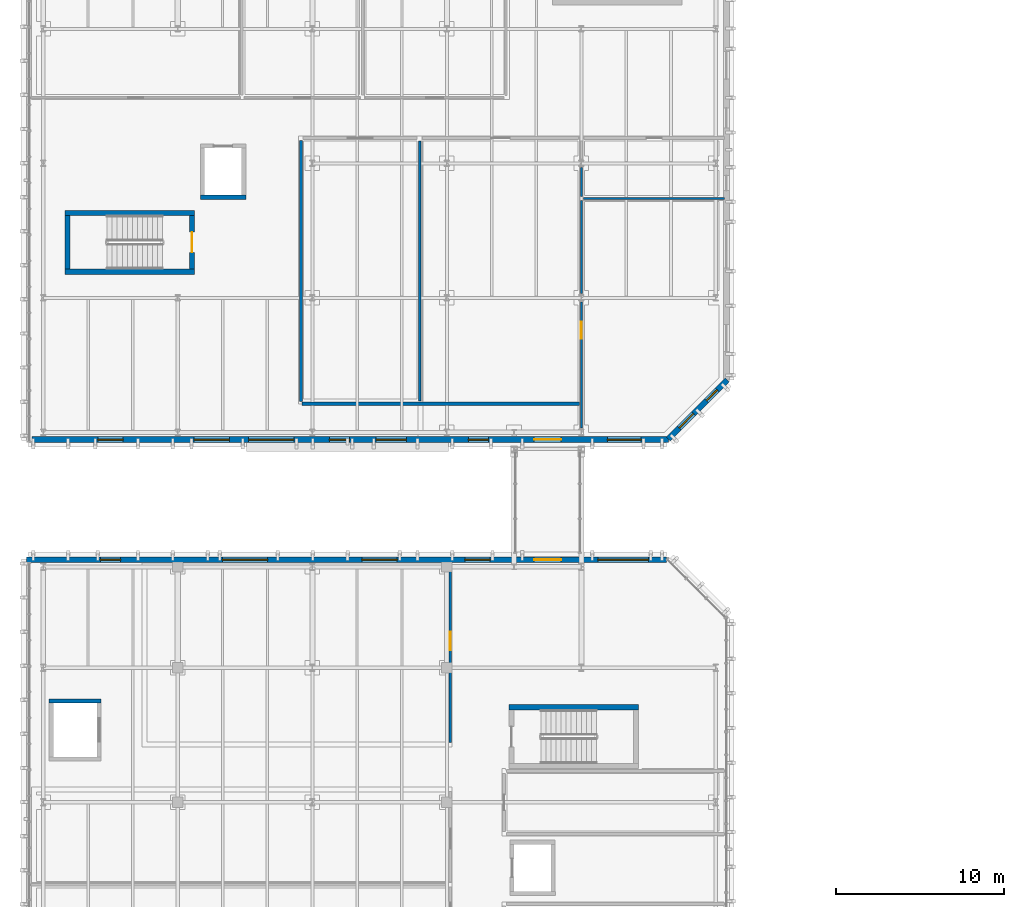
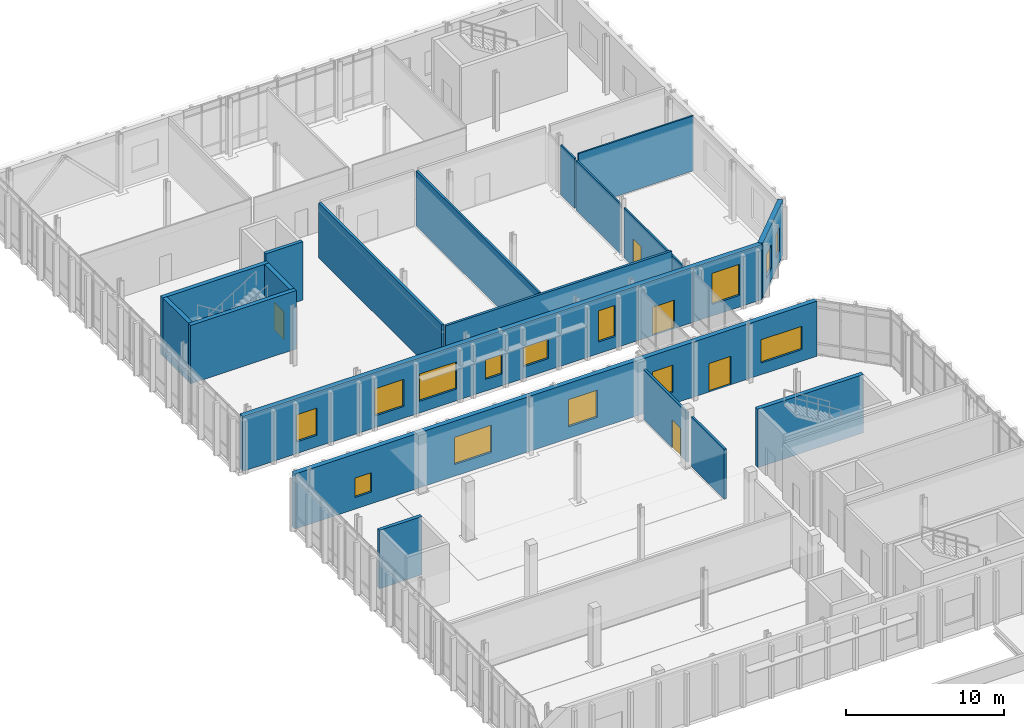
# One storey, part 63 of 86: 19 walls, 14 windows, 5 doors, 19 openings.
"""IFC4 building model written with IfcOpenShell, lengths in metres."""

from ifc_helpers import new_model, si_unit, direction, frame, frame_2d, origin, place, context, subcontext, project, spatial, rectangle, extrude, material, layer, layer_set, type_object, element, fill, save


model = new_model("IFC4")

# Units and contexts
model_context = context("Model", 3, precision=1e-05, world=origin(), true_north=direction((0.0, 1.0)))
body_context = subcontext(model_context, "Body", "Model", "MODEL_VIEW")
ifc_project = project(units=[si_unit("LENGTHUNIT", "METRE"), si_unit("AREAUNIT", "SQUARE_METRE"), si_unit("VOLUMEUNIT", "CUBIC_METRE"), si_unit("PLANEANGLEUNIT", "RADIAN"), si_unit("MASSUNIT", "GRAM", prefix="KILO")], contexts=[model_context])

# Site, building, storey
site_placement = place(None, origin())
site = spatial("IfcSite", under=ifc_project, at=site_placement, CompositionType="ELEMENT")
building_placement = place(site_placement, origin())
building = spatial("IfcBuilding", under=site, at=building_placement, Name="Cymarion Research Institute", CompositionType="ELEMENT")
storey_placement = place(building_placement, frame((0.0, 0.0, 13.800048828125)))
storey = spatial("IfcBuildingStorey", under=building, at=storey_placement, Name="L03", CompositionType="ELEMENT", Elevation=13.800048828125)

# Wall, openings, door, windows
ifc_material_1 = material(Name="Precast concrete C40/50", Category="concrete")
ifc_layer_1 = layer(ifc_material_1, 0.340087890625)
ifc_layer_set_1 = layer_set([ifc_layer_1], Name="Precast concrete C40/50")
wall_type_1 = type_object("IfcWallType", Name="EXTERIOR WALL EW-PC340 340MM", PredefinedType="SOLIDWALL", material=ifc_layer_set_1)
wall_1_placement = place(storey_placement, frame((43.67724609375, 77.929931640625, 0.0), z_axis=(0.0, 0.0, 1.0), x_axis=(-1.0, 0.0, 0.0)))
wall_1 = element("IfcWall", 1, at=wall_1_placement, inside=storey, type_object=wall_type_1, Name="L03 V4 exterior wall EW-PC340 #189", PredefinedType="SOLIDWALL", context=body_context, shape_type="SweptSolid", body=[
    extrude(rectangle(XDim=38.0771484375, YDim=0.340087890625, at=frame_2d((19.03857421875, 0.0))), origin(), (0.0, 0.0, 1.0), 4.25),
])
opening_1_placement = place(wall_1_placement, frame((6.277099609375, 0.0, 0.0)))
opening_1 = element("IfcOpeningElement", 2, at=opening_1_placement, cuts=wall_1, Name="Opening D-SP2-L03-S", PredefinedType="OPENING", context=body_context, shape_type="SweptSolid", body=[
    extrude(rectangle(XDim=1.60009765625, YDim=2.199951171875, at=frame_2d((0.800048828125, 1.10009765625))), frame((0.0, 0.179931640625, 0.0), z_axis=(0.0, -1.0, 0.0), x_axis=(1.0, 0.0, 0.0)), (0.0, 0.0, 1.0), 0.360107421875),
])
opening_2_placement = place(wall_1_placement, frame((1.089111328125, 0.0, 0.89990234375)))
opening_2 = element("IfcOpeningElement", 3, at=opening_2_placement, cuts=wall_1, Name="Opening W07", PredefinedType="OPENING", context=body_context, shape_type="SweptSolid", body=[
    extrude(rectangle(XDim=3.0, YDim=1.800048828125, at=frame_2d((1.5, 0.89990234375))), frame((0.0, 0.179931640625, 0.0), z_axis=(0.0, -1.0, 0.0), x_axis=(1.0, 0.0, 0.0)), (0.0, 0.0, 1.0), 0.360107421875),
])
opening_3_placement = place(wall_1_placement, frame((10.507080078125, 0.0, 0.89990234375)))
opening_3 = element("IfcOpeningElement", 4, at=opening_3_placement, cuts=wall_1, Name="Opening W09", PredefinedType="OPENING", context=body_context, shape_type="SweptSolid", body=[
    extrude(rectangle(XDim=1.5, YDim=2.10009765625, at=frame_2d((0.75, 1.050048828125))), frame((0.0, 0.179931640625, 0.0), z_axis=(0.0, -1.0, 0.0), x_axis=(1.0, 0.0, 0.0)), (0.0, 0.0, 1.0), 0.360107421875),
])
opening_4_placement = place(wall_1_placement, frame((16.027099609375, 0.0, 0.89990234375)))
opening_4 = element("IfcOpeningElement", 5, at=opening_4_placement, cuts=wall_1, Name="Opening W11", PredefinedType="OPENING", context=body_context, shape_type="SweptSolid", body=[
    extrude(rectangle(XDim=2.10009765625, YDim=2.10009765625, at=frame_2d((1.050048828125, 1.050048828125))), frame((0.0, 0.179931640625, 0.0), z_axis=(0.0, -1.0, 0.0), x_axis=(1.0, 0.0, 0.0)), (0.0, 0.0, 1.0), 0.360107421875),
])
opening_5_placement = place(wall_1_placement, frame((23.72705078125, 0.0, 0.89990234375)))
opening_5 = element("IfcOpeningElement", 6, at=opening_5_placement, cuts=wall_1, Name="Opening W13", PredefinedType="OPENING", context=body_context, shape_type="SweptSolid", body=[
    extrude(rectangle(XDim=2.699951171875, YDim=2.10009765625, at=frame_2d((1.35009765625, 1.050048828125))), frame((0.0, 0.179931640625, 0.0), z_axis=(0.0, -1.0, 0.0), x_axis=(1.0, 0.0, 0.0)), (0.0, 0.0, 1.0), 0.360107421875),
])
opening_6_placement = place(wall_1_placement, frame((32.47705078125, 0.0, 0.89990234375)))
opening_6 = element("IfcOpeningElement", 7, at=opening_6_placement, cuts=wall_1, Name="Opening W15", PredefinedType="OPENING", context=body_context, shape_type="SweptSolid", body=[
    extrude(rectangle(XDim=1.199951171875, YDim=1.5, at=frame_2d((0.60009765625, 0.75))), frame((0.0, 0.179931640625, 0.0), z_axis=(0.0, -1.0, 0.0), x_axis=(1.0, 0.0, 0.0)), (0.0, 0.0, 1.0), 0.360107421875),
])
ifc_material_2 = material(Name="Thermally broken anodised aluminium glazed door", Category="aluminium")
door_type_1 = type_object("IfcDoorType", Name="GLAZED ALUMINIUM TERRACE ACCESS DOOR DT-TR160 1600X2200", OperationType="NOTDEFINED", PredefinedType="DOOR", material=ifc_material_2)
door_1_placement = place(opening_1_placement, frame((1.60009765625, 0.0, 0.0), z_axis=(0.0, 0.0, 1.0), x_axis=(-1.0, 0.0, 0.0)))
door_1 = element("IfcDoor", 8, at=door_1_placement, inside=storey, type_object=door_type_1, Name="L03 V4 Sky-Passage Portal Door D-SP2-L03-S", OperationType="SINGLE_SWING_RIGHT", OverallHeight=2.199951171875, OverallWidth=1.60009765625, PredefinedType="DOOR", context=body_context, shape_type="SweptSolid", body=[
    extrude(rectangle(XDim=1.60009765625, YDim=2.199951171875, at=frame_2d((0.800048828125, 1.10009765625))), frame((0.0, 0.02490234375, 0.0), z_axis=(0.0, -1.0, 0.0), x_axis=(1.0, 0.0, 0.0)), (0.0, 0.0, 1.0), 0.050048828125),
])
fill(opening_1, door_1)
ifc_material_3 = material(Name="Thermally broken aluminium window with Low-E glazing", Category="aluminium")
window_type_1 = type_object("IfcWindowType", Name="THERMALLY BROKEN ALUMINIUM WINDOW W07 3000X1800", PartitioningType="TRIPLE_PANEL_VERTICAL", PredefinedType="WINDOW", material=ifc_material_3)
window_1_placement = place(opening_2_placement, origin())
window_1 = element("IfcWindow", 9, at=window_1_placement, inside=storey, type_object=window_type_1, Name="L03 V4 facade window W07 #340", OverallHeight=1.800048828125, OverallWidth=3.0, PartitioningType="SINGLE_PANEL", PredefinedType="WINDOW", context=body_context, shape_type="SweptSolid", body=[
    extrude(rectangle(XDim=3.0, YDim=1.800048828125, at=frame_2d((1.5, 0.89990234375))), frame((0.0, 0.030029296875, 0.0), z_axis=(0.0, -1.0, 0.0), x_axis=(1.0, 0.0, 0.0)), (0.0, 0.0, 1.0), 0.06005859375),
])
fill(opening_2, window_1)
window_type_2 = type_object("IfcWindowType", Name="THERMALLY BROKEN ALUMINIUM WINDOW W09 1500X2100", PartitioningType="DOUBLE_PANEL_VERTICAL", PredefinedType="WINDOW", material=ifc_material_3)
window_2_placement = place(opening_3_placement, origin())
window_2 = element("IfcWindow", 10, at=window_2_placement, inside=storey, type_object=window_type_2, Name="L03 V4 facade window W09 #341", OverallHeight=2.10009765625, OverallWidth=1.5, PartitioningType="SINGLE_PANEL", PredefinedType="WINDOW", context=body_context, shape_type="SweptSolid", body=[
    extrude(rectangle(XDim=1.5, YDim=2.10009765625, at=frame_2d((0.75, 1.050048828125))), frame((0.0, 0.030029296875, 0.0), z_axis=(0.0, -1.0, 0.0), x_axis=(1.0, 0.0, 0.0)), (0.0, 0.0, 1.0), 0.06005859375),
])
fill(opening_3, window_2)
window_type_3 = type_object("IfcWindowType", Name="THERMALLY BROKEN ALUMINIUM WINDOW W11 2100X2100", PartitioningType="DOUBLE_PANEL_VERTICAL", PredefinedType="WINDOW", material=ifc_material_3)
window_3_placement = place(opening_4_placement, origin())
window_3 = element("IfcWindow", 11, at=window_3_placement, inside=storey, type_object=window_type_3, Name="L03 V4 facade window W11 #342", OverallHeight=2.10009765625, OverallWidth=2.10009765625, PartitioningType="SINGLE_PANEL", PredefinedType="WINDOW", context=body_context, shape_type="SweptSolid", body=[
    extrude(rectangle(XDim=2.10009765625, YDim=2.10009765625, at=frame_2d((1.050048828125, 1.050048828125))), frame((0.0, 0.030029296875, 0.0), z_axis=(0.0, -1.0, 0.0), x_axis=(1.0, 0.0, 0.0)), (0.0, 0.0, 1.0), 0.06005859375),
])
fill(opening_4, window_3)
window_type_4 = type_object("IfcWindowType", Name="THERMALLY BROKEN ALUMINIUM WINDOW W13 2700X2100", PartitioningType="TRIPLE_PANEL_VERTICAL", PredefinedType="WINDOW", material=ifc_material_3)
window_4_placement = place(opening_5_placement, origin())
window_4 = element("IfcWindow", 12, at=window_4_placement, inside=storey, type_object=window_type_4, Name="L03 V4 facade window W13 #343", OverallHeight=2.10009765625, OverallWidth=2.699951171875, PartitioningType="SINGLE_PANEL", PredefinedType="WINDOW", context=body_context, shape_type="SweptSolid", body=[
    extrude(rectangle(XDim=2.699951171875, YDim=2.10009765625, at=frame_2d((1.35009765625, 1.050048828125))), frame((0.0, 0.030029296875, 0.0), z_axis=(0.0, -1.0, 0.0), x_axis=(1.0, 0.0, 0.0)), (0.0, 0.0, 1.0), 0.06005859375),
])
fill(opening_5, window_4)
window_type_5 = type_object("IfcWindowType", Name="THERMALLY BROKEN ALUMINIUM WINDOW W15 1200X1500", PartitioningType="SINGLE_PANEL", PredefinedType="WINDOW", material=ifc_material_3)
window_5_placement = place(opening_6_placement, origin())
window_5 = element("IfcWindow", 13, at=window_5_placement, inside=storey, type_object=window_type_5, Name="L03 V4 facade window W15 #344", OverallHeight=1.5, OverallWidth=1.199951171875, PartitioningType="SINGLE_PANEL", PredefinedType="WINDOW", context=body_context, shape_type="SweptSolid", body=[
    extrude(rectangle(XDim=1.199951171875, YDim=1.5, at=frame_2d((0.60009765625, 0.75))), frame((0.0, 0.030029296875, 0.0), z_axis=(0.0, -1.0, 0.0), x_axis=(1.0, 0.0, 0.0)), (0.0, 0.0, 1.0), 0.06005859375),
])
fill(opening_6, window_5)

wall_2_placement = place(storey_placement, frame((5.922119140625, 85.070068359375, 0.0), z_axis=(0.0, 0.0, 1.0), x_axis=(1.0, 0.0, 0.0)))
wall_2 = element("IfcWall", 14, at=wall_2_placement, inside=storey, type_object=wall_type_1, Name="L03 V5 exterior wall EW-PC340 #190", PredefinedType="SOLIDWALL", context=body_context, shape_type="SweptSolid", body=[
    extrude(rectangle(XDim=37.8779296875, YDim=0.340087890625, at=frame_2d((18.93896484375, 0.0))), origin(), (0.0, 0.0, 1.0), 4.25),
])
opening_7_placement = place(wall_2_placement, frame((29.8779296875, 0.0, 0.0)))
opening_7 = element("IfcOpeningElement", 15, at=opening_7_placement, cuts=wall_2, Name="Opening D-SP2-L03-N", PredefinedType="OPENING", context=body_context, shape_type="SweptSolid", body=[
    extrude(rectangle(XDim=1.60009765625, YDim=2.199951171875, at=frame_2d((0.800048828125, 1.10009765625))), frame((0.0, 0.179931640625, 0.0), z_axis=(0.0, -1.0, 0.0), x_axis=(1.0, 0.0, 0.0)), (0.0, 0.0, 1.0), 0.360107421875),
])
opening_8_placement = place(wall_2_placement, frame((3.927978515625, 0.0, 0.89990234375)))
opening_8 = element("IfcOpeningElement", 16, at=opening_8_placement, cuts=wall_2, Name="Opening W09", PredefinedType="OPENING", context=body_context, shape_type="SweptSolid", body=[
    extrude(rectangle(XDim=1.5, YDim=2.10009765625, at=frame_2d((0.75, 1.050048828125))), frame((0.0, 0.179931640625, 0.0), z_axis=(0.0, -1.0, 0.0), x_axis=(1.0, 0.0, 0.0)), (0.0, 0.0, 1.0), 0.360107421875),
])
opening_9_placement = place(wall_2_placement, frame((9.64794921875, 0.0, 0.89990234375)))
opening_9 = element("IfcOpeningElement", 17, at=opening_9_placement, cuts=wall_2, Name="Opening W11", PredefinedType="OPENING", context=body_context, shape_type="SweptSolid", body=[
    extrude(rectangle(XDim=2.10009765625, YDim=2.10009765625, at=frame_2d((1.050048828125, 1.050048828125))), frame((0.0, 0.179931640625, 0.0), z_axis=(0.0, -1.0, 0.0), x_axis=(1.0, 0.0, 0.0)), (0.0, 0.0, 1.0), 0.360107421875),
])
opening_10_placement = place(wall_2_placement, frame((12.887939453125, 0.0, 0.89990234375)))
opening_10 = element("IfcOpeningElement", 18, at=opening_10_placement, cuts=wall_2, Name="Opening W13", PredefinedType="OPENING", context=body_context, shape_type="SweptSolid", body=[
    extrude(rectangle(XDim=2.699951171875, YDim=2.10009765625, at=frame_2d((1.35009765625, 1.050048828125))), frame((0.0, 0.179931640625, 0.0), z_axis=(0.0, -1.0, 0.0), x_axis=(1.0, 0.0, 0.0)), (0.0, 0.0, 1.0), 0.360107421875),
])
opening_11_placement = place(wall_2_placement, frame((17.697998046875, 0.0, 0.89990234375)))
opening_11 = element("IfcOpeningElement", 19, at=opening_11_placement, cuts=wall_2, Name="Opening W15", PredefinedType="OPENING", context=body_context, shape_type="SweptSolid", body=[
    extrude(rectangle(XDim=1.199951171875, YDim=1.5, at=frame_2d((0.60009765625, 0.75))), frame((0.0, 0.179931640625, 0.0), z_axis=(0.0, -1.0, 0.0), x_axis=(1.0, 0.0, 0.0)), (0.0, 0.0, 1.0), 0.360107421875),
])
opening_12_placement = place(wall_2_placement, frame((20.47802734375, 0.0, 0.89990234375)))
opening_12 = element("IfcOpeningElement", 20, at=opening_12_placement, cuts=wall_2, Name="Opening W17", PredefinedType="OPENING", context=body_context, shape_type="SweptSolid", body=[
    extrude(rectangle(XDim=1.800048828125, YDim=1.5, at=frame_2d((0.89990234375, 0.75))), frame((0.0, 0.179931640625, 0.0), z_axis=(0.0, -1.0, 0.0), x_axis=(1.0, 0.0, 0.0)), (0.0, 0.0, 1.0), 0.360107421875),
])
opening_13_placement = place(wall_2_placement, frame((25.9580078125, 0.0, 0.89990234375)))
opening_13 = element("IfcOpeningElement", 21, at=opening_13_placement, cuts=wall_2, Name="Opening W19", PredefinedType="OPENING", context=body_context, shape_type="SweptSolid", body=[
    extrude(rectangle(XDim=1.199951171875, YDim=2.39990234375, at=frame_2d((0.60009765625, 1.199951171875))), frame((0.0, 0.179931640625, 0.0), z_axis=(0.0, -1.0, 0.0), x_axis=(1.0, 0.0, 0.0)), (0.0, 0.0, 1.0), 0.360107421875),
])
opening_14_placement = place(wall_2_placement, frame((34.22802734375, 0.0, 0.89990234375)))
opening_14 = element("IfcOpeningElement", 22, at=opening_14_placement, cuts=wall_2, Name="Opening W21", PredefinedType="OPENING", context=body_context, shape_type="SweptSolid", body=[
    extrude(rectangle(XDim=2.0, YDim=2.39990234375, at=frame_2d((1.0, 1.199951171875))), frame((0.0, 0.179931640625, 0.0), z_axis=(0.0, -1.0, 0.0), x_axis=(1.0, 0.0, 0.0)), (0.0, 0.0, 1.0), 0.360107421875),
])
door_2_placement = place(opening_7_placement, frame((1.60009765625, 0.0, 0.0), z_axis=(0.0, 0.0, 1.0), x_axis=(-1.0, 0.0, 0.0)))
door_2 = element("IfcDoor", 23, at=door_2_placement, inside=storey, type_object=door_type_1, Name="L03 V5 Sky-Passage Portal Door D-SP2-L03-N", OperationType="SINGLE_SWING_RIGHT", OverallHeight=2.199951171875, OverallWidth=1.60009765625, PredefinedType="DOOR", context=body_context, shape_type="SweptSolid", body=[
    extrude(rectangle(XDim=1.60009765625, YDim=2.199951171875, at=frame_2d((0.800048828125, 1.10009765625))), frame((0.0, 0.02490234375, 0.0), z_axis=(0.0, -1.0, 0.0), x_axis=(1.0, 0.0, 0.0)), (0.0, 0.0, 1.0), 0.050048828125),
])
fill(opening_7, door_2)
window_6_placement = place(opening_8_placement, origin())
window_6 = element("IfcWindow", 24, at=window_6_placement, inside=storey, type_object=window_type_2, Name="L03 V5 facade window W09 #345", OverallHeight=2.10009765625, OverallWidth=1.5, PartitioningType="SINGLE_PANEL", PredefinedType="WINDOW", context=body_context, shape_type="SweptSolid", body=[
    extrude(rectangle(XDim=1.5, YDim=2.10009765625, at=frame_2d((0.75, 1.050048828125))), frame((0.0, 0.030029296875, 0.0), z_axis=(0.0, -1.0, 0.0), x_axis=(1.0, 0.0, 0.0)), (0.0, 0.0, 1.0), 0.06005859375),
])
fill(opening_8, window_6)
window_7_placement = place(opening_9_placement, origin())
window_7 = element("IfcWindow", 25, at=window_7_placement, inside=storey, type_object=window_type_3, Name="L03 V5 facade window W11 #346", OverallHeight=2.10009765625, OverallWidth=2.10009765625, PartitioningType="SINGLE_PANEL", PredefinedType="WINDOW", context=body_context, shape_type="SweptSolid", body=[
    extrude(rectangle(XDim=2.10009765625, YDim=2.10009765625, at=frame_2d((1.050048828125, 1.050048828125))), frame((0.0, 0.030029296875, 0.0), z_axis=(0.0, -1.0, 0.0), x_axis=(1.0, 0.0, 0.0)), (0.0, 0.0, 1.0), 0.06005859375),
])
fill(opening_9, window_7)
window_8_placement = place(opening_10_placement, origin())
window_8 = element("IfcWindow", 26, at=window_8_placement, inside=storey, type_object=window_type_4, Name="L03 V5 facade window W13 #347", OverallHeight=2.10009765625, OverallWidth=2.699951171875, PartitioningType="SINGLE_PANEL", PredefinedType="WINDOW", context=body_context, shape_type="SweptSolid", body=[
    extrude(rectangle(XDim=2.699951171875, YDim=2.10009765625, at=frame_2d((1.35009765625, 1.050048828125))), frame((0.0, 0.030029296875, 0.0), z_axis=(0.0, -1.0, 0.0), x_axis=(1.0, 0.0, 0.0)), (0.0, 0.0, 1.0), 0.06005859375),
])
fill(opening_10, window_8)
window_9_placement = place(opening_11_placement, origin())
window_9 = element("IfcWindow", 27, at=window_9_placement, inside=storey, type_object=window_type_5, Name="L03 V5 facade window W15 #348", OverallHeight=1.5, OverallWidth=1.199951171875, PartitioningType="SINGLE_PANEL", PredefinedType="WINDOW", context=body_context, shape_type="SweptSolid", body=[
    extrude(rectangle(XDim=1.199951171875, YDim=1.5, at=frame_2d((0.60009765625, 0.75))), frame((0.0, 0.030029296875, 0.0), z_axis=(0.0, -1.0, 0.0), x_axis=(1.0, 0.0, 0.0)), (0.0, 0.0, 1.0), 0.06005859375),
])
fill(opening_11, window_9)
window_type_6 = type_object("IfcWindowType", Name="THERMALLY BROKEN ALUMINIUM WINDOW W17 1800X1500", PartitioningType="DOUBLE_PANEL_HORIZONTAL", PredefinedType="WINDOW", material=ifc_material_3)
window_10_placement = place(opening_12_placement, origin())
window_10 = element("IfcWindow", 28, at=window_10_placement, inside=storey, type_object=window_type_6, Name="L03 V5 facade window W17 #349", OverallHeight=1.5, OverallWidth=1.800048828125, PartitioningType="SINGLE_PANEL", PredefinedType="WINDOW", context=body_context, shape_type="SweptSolid", body=[
    extrude(rectangle(XDim=1.800048828125, YDim=1.5, at=frame_2d((0.89990234375, 0.75))), frame((0.0, 0.030029296875, 0.0), z_axis=(0.0, -1.0, 0.0), x_axis=(1.0, 0.0, 0.0)), (0.0, 0.0, 1.0), 0.06005859375),
])
fill(opening_12, window_10)
window_type_7 = type_object("IfcWindowType", Name="THERMALLY BROKEN ALUMINIUM WINDOW W19 1200X2400", PartitioningType="SINGLE_PANEL", PredefinedType="WINDOW", material=ifc_material_3)
window_11_placement = place(opening_13_placement, origin())
window_11 = element("IfcWindow", 29, at=window_11_placement, inside=storey, type_object=window_type_7, Name="L03 V5 facade window W19 #350", OverallHeight=2.39990234375, OverallWidth=1.199951171875, PartitioningType="SINGLE_PANEL", PredefinedType="WINDOW", context=body_context, shape_type="SweptSolid", body=[
    extrude(rectangle(XDim=1.199951171875, YDim=2.39990234375, at=frame_2d((0.60009765625, 1.199951171875))), frame((0.0, 0.030029296875, 0.0), z_axis=(0.0, -1.0, 0.0), x_axis=(1.0, 0.0, 0.0)), (0.0, 0.0, 1.0), 0.06005859375),
])
fill(opening_13, window_11)
window_type_8 = type_object("IfcWindowType", Name="THERMALLY BROKEN ALUMINIUM WINDOW W21 2000X2400", PartitioningType="DOUBLE_PANEL_VERTICAL", PredefinedType="WINDOW", material=ifc_material_3)
window_12_placement = place(opening_14_placement, origin())
window_12 = element("IfcWindow", 30, at=window_12_placement, inside=storey, type_object=window_type_8, Name="L03 V5 facade window W21 #351", OverallHeight=2.39990234375, OverallWidth=2.0, PartitioningType="SINGLE_PANEL", PredefinedType="WINDOW", context=body_context, shape_type="SweptSolid", body=[
    extrude(rectangle(XDim=2.0, YDim=2.39990234375, at=frame_2d((1.0, 1.199951171875))), frame((0.0, 0.030029296875, 0.0), z_axis=(0.0, -1.0, 0.0), x_axis=(1.0, 0.0, 0.0)), (0.0, 0.0, 1.0), 0.06005859375),
])
fill(opening_14, window_12)

# Wall, openings, windows
wall_3_placement = place(storey_placement, frame((43.7666015625, 85.107177734375, 0.0), z_axis=(0.0, 0.0, 1.0), x_axis=(0.707131350994, 0.707082210525, 0.0)))
wall_3 = element("IfcWall", 31, at=wall_3_placement, inside=storey, type_object=wall_type_1, Name="L03 V5 exterior wall EW-PC340 #191", PredefinedType="SOLIDWALL", context=body_context, shape_type="SweptSolid", body=[
    extrude(rectangle(XDim=4.96826171875, YDim=0.340087890625, at=frame_2d((2.484130859375, 0.0))), origin(), (0.0, 0.0, 1.0), 4.25),
])
opening_15_placement = place(wall_3_placement, frame((0.930908203125, 0.0, 0.89990234375)))
opening_15 = element("IfcOpeningElement", 32, at=opening_15_placement, cuts=wall_3, Name="Opening W01", PredefinedType="OPENING", context=body_context, shape_type="SweptSolid", body=[
    extrude(rectangle(XDim=1.199951171875, YDim=1.800048828125, at=frame_2d((0.60009765625, 0.89990234375))), frame((0.0, 0.179931640625, 0.0), z_axis=(0.0, -1.0, 0.0), x_axis=(1.0, 0.0, 0.0)), (0.0, 0.0, 1.0), 0.360107421875),
])
opening_16_placement = place(wall_3_placement, frame((3.22509765625, 0.0, 0.89990234375)))
opening_16 = element("IfcOpeningElement", 33, at=opening_16_placement, cuts=wall_3, Name="Opening W24", PredefinedType="OPENING", context=body_context, shape_type="SweptSolid", body=[
    extrude(rectangle(XDim=0.89990234375, YDim=1.800048828125, at=frame_2d((0.449951171875, 0.89990234375))), frame((0.0, 0.179931640625, 0.0), z_axis=(0.0, -1.0, 0.0), x_axis=(1.0, 0.0, 0.0)), (0.0, 0.0, 1.0), 0.360107421875),
])
window_type_9 = type_object("IfcWindowType", Name="THERMALLY BROKEN ALUMINIUM WINDOW W01 1200X1800", PartitioningType="SINGLE_PANEL", PredefinedType="WINDOW", material=ifc_material_3)
window_13_placement = place(opening_15_placement, origin())
window_13 = element("IfcWindow", 34, at=window_13_placement, inside=storey, type_object=window_type_9, Name="L03 V5 facade window W01 #352", OverallHeight=1.800048828125, OverallWidth=1.199951171875, PartitioningType="SINGLE_PANEL", PredefinedType="WINDOW", context=body_context, shape_type="SweptSolid", body=[
    extrude(rectangle(XDim=1.199951171875, YDim=1.800048828125, at=frame_2d((0.60009765625, 0.89990234375))), frame((0.0, 0.030029296875, 0.0), z_axis=(0.0, -1.0, 0.0), x_axis=(1.0, 0.0, 0.0)), (0.0, 0.0, 1.0), 0.06005859375),
])
fill(opening_15, window_13)
window_type_10 = type_object("IfcWindowType", Name="THERMALLY BROKEN ALUMINIUM WINDOW W24 900X1800", PartitioningType="SINGLE_PANEL", PredefinedType="WINDOW", material=ifc_material_3)
window_14_placement = place(opening_16_placement, origin())
window_14 = element("IfcWindow", 35, at=window_14_placement, inside=storey, type_object=window_type_10, Name="L03 V5 facade window W24 #353", OverallHeight=1.800048828125, OverallWidth=0.89990234375, PartitioningType="SINGLE_PANEL", PredefinedType="WINDOW", context=body_context, shape_type="SweptSolid", body=[
    extrude(rectangle(XDim=0.89990234375, YDim=1.800048828125, at=frame_2d((0.449951171875, 0.89990234375))), frame((0.0, 0.030029296875, 0.0), z_axis=(0.0, -1.0, 0.0), x_axis=(1.0, 0.0, 0.0)), (0.0, 0.0, 1.0), 0.06005859375),
])
fill(opening_16, window_14)

# Walls
ifc_material_4 = material(Name="Gypsum acoustic double-stud partition", Category="gypsum")
ifc_layer_2 = layer(ifc_material_4, 0.14990234375)
ifc_layer_set_2 = layer_set([ifc_layer_2], Name="Gypsum acoustic double-stud partition")
wall_type_2 = type_object("IfcWallType", Name="INTERIOR PARTITION IW-AC150 150MM", PredefinedType="PARTITIONING", material=ifc_layer_set_2)
wall_4_placement = place(storey_placement, frame((29.0, 87.360107421875, 0.0), z_axis=(0.0, 0.0, 1.0), x_axis=(0.0, 1.0, 0.0)))
element("IfcWall", 36, at=wall_4_placement, inside=storey, type_object=wall_type_2, Name="L03 V5 interior partition IW-AC150 #251", PredefinedType="PARTITIONING", context=body_context, shape_type="SweptSolid", body=[
    extrude(rectangle(XDim=15.47998046875, YDim=0.14990234375, at=frame_2d((7.739990234375, 0.0))), origin(), (0.0, 0.0, 1.0), 4.25),
])
ifc_material_5 = material(Name="ISO cleanroom modular flush panel wall", Category="metal")
ifc_layer_3 = layer(ifc_material_5, 0.159912109375)
ifc_layer_set_3 = layer_set([ifc_layer_3], Name="ISO cleanroom modular flush panel wall")
wall_type_3 = type_object("IfcWallType", Name="INTERIOR PARTITION IW-CL160 160MM", PredefinedType="PARTITIONING", material=ifc_layer_set_3)
wall_5_placement = place(storey_placement, frame((30.800048828125, 67.050048828125, 0.0), z_axis=(0.0, 0.0, 1.0), x_axis=(0.0, 1.0, 0.0)))
element("IfcWall", 37, at=wall_5_placement, inside=storey, type_object=wall_type_3, Name="L03 V4 interior partition IW-CL160 #241", PredefinedType="PARTITIONING", context=body_context, shape_type="SweptSolid", body=[
    extrude(rectangle(XDim=4.199951171875, YDim=0.159912109375, at=frame_2d((2.10009765625, 0.0))), origin(), (0.0, 0.0, 1.0), 3.849853515625),
])

# Wall, opening, door
wall_6_placement = place(storey_placement, frame((30.800048828125, 71.75, 0.0), z_axis=(0.0, 0.0, 1.0), x_axis=(0.0, 1.0, 0.0)))
wall_6 = element("IfcWall", 38, at=wall_6_placement, inside=storey, type_object=wall_type_3, Name="L03 V4 interior partition IW-CL160 #242", PredefinedType="PARTITIONING", context=body_context, shape_type="SweptSolid", body=[
    extrude(rectangle(XDim=5.5, YDim=0.159912109375, at=frame_2d((2.75, 0.0))), origin(), (0.0, 0.0, 1.0), 3.849853515625),
])
opening_17_placement = place(wall_6_placement, frame((0.7919921875, 0.0, 0.0)))
opening_17 = element("IfcOpeningElement", 39, at=opening_17_placement, cuts=wall_6, Name="Opening D-L03-161", PredefinedType="OPENING", context=body_context, shape_type="SweptSolid", body=[
    extrude(rectangle(XDim=1.10009765625, YDim=2.14990234375, at=frame_2d((0.550048828125, 1.074951171875))), frame((0.0, 0.08984375, 0.0), z_axis=(0.0, -1.0, 0.0), x_axis=(1.0, 0.0, 0.0)), (0.0, 0.0, 1.0), 0.179931640625),
])
ifc_material_6 = material(Name="Flush acoustic timber/steel door assembly", Category="steel")
door_type_2 = type_object("IfcDoorType", Name="LABORATORY WIDE SINGLE DOOR DT-LB110 1100X2150", OperationType="NOTDEFINED", PredefinedType="DOOR", material=ifc_material_6)
door_3_placement = place(opening_17_placement, origin())
door_3 = element("IfcDoor", 40, at=door_3_placement, inside=storey, type_object=door_type_2, Name="L03 Metrology Lab door D-L03-161", OperationType="SINGLE_SWING_RIGHT", OverallHeight=2.14990234375, OverallWidth=1.10009765625, PredefinedType="DOOR", context=body_context, shape_type="SweptSolid", body=[
    extrude(rectangle(XDim=1.10009765625, YDim=2.14990234375, at=frame_2d((0.550048828125, 1.074951171875))), frame((0.0, 0.02490234375, 0.0), z_axis=(0.0, -1.0, 0.0), x_axis=(1.0, 0.0, 0.0)), (0.0, 0.0, 1.0), 0.050048828125),
])
fill(opening_17, door_3)

# Walls
ifc_material_7 = material(Name="Moisture-resistant laboratory partition", Category="gypsum")
ifc_layer_4 = layer(ifc_material_7, 0.179931640625)
ifc_layer_set_4 = layer_set([ifc_layer_4], Name="Moisture-resistant laboratory partition")
wall_type_4 = type_object("IfcWallType", Name="INTERIOR PARTITION IW-LB180 180MM", PredefinedType="PARTITIONING", material=ifc_layer_set_4)
wall_7_placement = place(storey_placement, frame((21.919921875, 87.340087890625, 0.0), z_axis=(0.0, 0.0, 1.0), x_axis=(0.0, 1.0, 0.0)))
element("IfcWall", 41, at=wall_7_placement, inside=storey, type_object=wall_type_4, Name="L03 V5 interior partition IW-LB180 #249", PredefinedType="PARTITIONING", context=body_context, shape_type="SweptSolid", body=[
    extrude(rectangle(XDim=15.52001953125, YDim=0.179931640625, at=frame_2d((7.760009765625, 0.0))), origin(), (0.0, 0.0, 1.0), 4.25),
])
wall_8_placement = place(storey_placement, frame((22.0, 87.199951171875, 0.0), z_axis=(0.0, 0.0, 1.0), x_axis=(1.0, 0.0, 0.0)))
element("IfcWall", 42, at=wall_8_placement, inside=storey, type_object=wall_type_4, Name="L03 V5 interior partition IW-LB180 #250", PredefinedType="PARTITIONING", context=body_context, shape_type="SweptSolid", body=[
    extrude(rectangle(XDim=16.47998046875, YDim=0.179931640625, at=frame_2d((8.239990234375, 0.0))), origin(), (0.0, 0.0, 1.0), 4.25),
])
ifc_material_8 = material(Name="Service riser shaft wall", Category="gypsum")
ifc_layer_5 = layer(ifc_material_8, 0.1201171875)
ifc_layer_set_5 = layer_set([ifc_layer_5], Name="Service riser shaft wall")
wall_type_5 = type_object("IfcWallType", Name="INTERIOR PARTITION IW-SH120 120MM", PredefinedType="PARTITIONING", material=ifc_layer_set_5)
wall_9_placement = place(storey_placement, frame((38.739990234375, 99.39990234375, 0.0), z_axis=(0.0, 0.0, 1.0), x_axis=(1.0, 0.0, 0.0)))
element("IfcWall", 43, at=wall_9_placement, inside=storey, type_object=wall_type_5, Name="L03 V5 interior partition IW-SH120 #252", PredefinedType="PARTITIONING", context=body_context, shape_type="SweptSolid", body=[
    extrude(rectangle(XDim=8.375, YDim=0.1201171875, at=frame_2d((4.1875, 0.0))), origin(), (0.0, 0.0, 1.0), 4.25),
])

# Wall, opening, door
wall_10_placement = place(storey_placement, frame((38.60009765625, 85.75, 0.0), z_axis=(0.0, 0.0, 1.0), x_axis=(0.0, 1.0, 0.0)))
wall_10 = element("IfcWall", 44, at=wall_10_placement, inside=storey, type_object=wall_type_5, Name="L03 V5 interior partition IW-SH120 #253", PredefinedType="PARTITIONING", context=body_context, shape_type="SweptSolid", body=[
    extrude(rectangle(XDim=7.5, YDim=0.1201171875, at=frame_2d((3.75, 0.0))), origin(), (0.0, 0.0, 1.0), 3.849853515625),
])
opening_18_placement = place(wall_10_placement, frame((5.330078125, 0.0, 0.0)))
opening_18 = element("IfcOpeningElement", 45, at=opening_18_placement, cuts=wall_10, Name="Opening D-L03-164", PredefinedType="OPENING", context=body_context, shape_type="SweptSolid", body=[
    extrude(rectangle(XDim=1.0, YDim=2.14990234375, at=frame_2d((0.5, 1.074951171875))), frame((0.0, 0.070068359375, 0.0), z_axis=(0.0, -1.0, 0.0), x_axis=(1.0, 0.0, 0.0)), (0.0, 0.0, 1.0), 0.14013671875),
])
door_type_3 = type_object("IfcDoorType", Name="LABORATORY SINGLE LEAF DOOR DT-LB100 1000X2150", OperationType="NOTDEFINED", PredefinedType="DOOR", material=ifc_material_6)
door_4_placement = place(opening_18_placement, origin())
door_4 = element("IfcDoor", 46, at=door_4_placement, inside=storey, type_object=door_type_3, Name="L03 Tape Archive door D-L03-164", OperationType="SINGLE_SWING_LEFT", OverallHeight=2.14990234375, OverallWidth=1.0, PredefinedType="DOOR", context=body_context, shape_type="SweptSolid", body=[
    extrude(rectangle(XDim=1.0, YDim=2.14990234375, at=frame_2d((0.5, 1.074951171875))), frame((0.0, 0.02490234375, 0.0), z_axis=(0.0, -1.0, 0.0), x_axis=(1.0, 0.0, 0.0)), (0.0, 0.0, 1.0), 0.050048828125),
])
fill(opening_18, door_4)

# Walls
wall_11_placement = place(storey_placement, frame((38.60009765625, 93.75, 0.0), z_axis=(0.0, 0.0, 1.0), x_axis=(0.0, 1.0, 0.0)))
element("IfcWall", 47, at=wall_11_placement, inside=storey, type_object=wall_type_5, Name="L03 V5 interior partition IW-SH120 #254", PredefinedType="PARTITIONING", context=body_context, shape_type="SweptSolid", body=[
    extrude(rectangle(XDim=5.530029296875, YDim=0.1201171875, at=frame_2d((2.76513671875, 0.0))), origin(), (0.0, 0.0, 1.0), 3.849853515625),
])
wall_12_placement = place(storey_placement, frame((38.60009765625, 99.52001953125, 0.0), z_axis=(0.0, 0.0, 1.0), x_axis=(0.0, 1.0, 0.0)))
element("IfcWall", 48, at=wall_12_placement, inside=storey, type_object=wall_type_5, Name="L03 V5 interior partition IW-SH120 #255", PredefinedType="PARTITIONING", context=body_context, shape_type="SweptSolid", body=[
    extrude(rectangle(XDim=1.72998046875, YDim=0.1201171875, at=frame_2d((0.864990234375, 0.0))), origin(), (0.0, 0.0, 1.0), 3.849853515625),
])
ifc_material_9 = material(Name="Concrete C40/50", Category="concrete")
ifc_layer_6 = layer(ifc_material_9, 0.25)
ifc_layer_set_6 = layer_set([ifc_layer_6], Name="Concrete C40/50")
wall_type_6 = type_object("IfcWallType", Name="REINFORCED CONCRETE CORE WALL CW-SH250 250MM", PredefinedType="SHEAR", material=ifc_layer_set_6)
wall_13_placement = place(storey_placement, frame((15.949951171875, 99.47509765625, 0.0), z_axis=(0.0, 0.0, 1.0), x_axis=(1.0, 0.0, 0.0)))
element("IfcWall", 49, at=wall_13_placement, inside=storey, type_object=wall_type_6, Name="L03 LSH-LP5-L03 south core wall", PredefinedType="SHEAR", context=body_context, shape_type="SweptSolid", body=[
    extrude(rectangle(XDim=2.699951171875, YDim=0.25, at=frame_2d((1.35009765625, 0.0))), origin(), (0.0, 0.0, 1.0), 4.5),
])
wall_14_placement = place(storey_placement, frame((10.050048828125, 69.52490234375, 0.0), z_axis=(0.0, 0.0, 1.0), x_axis=(-1.0, 0.0, 0.0)))
element("IfcWall", 50, at=wall_14_placement, inside=storey, type_object=wall_type_6, Name="L03 LSH-LG1-L03 north core wall", PredefinedType="SHEAR", context=body_context, shape_type="SweptSolid", body=[
    extrude(rectangle(XDim=3.10009765625, YDim=0.25, at=frame_2d((1.550048828125, 0.0))), origin(), (0.0, 0.0, 1.0), 4.5),
])
ifc_layer_7 = layer(ifc_material_9, 0.300048828125)
ifc_layer_set_7 = layer_set([ifc_layer_7], Name="Concrete C40/50")
wall_type_7 = type_object("IfcWallType", Name="REINFORCED CONCRETE CORE WALL CW-SH300 300MM", PredefinedType="SHEAR", material=ifc_layer_set_7)
wall_15_placement = place(storey_placement, frame((42.0, 69.14990234375, 0.0), z_axis=(0.0, 0.0, 1.0), x_axis=(-1.0, 0.0, 0.0)))
element("IfcWall", 51, at=wall_15_placement, inside=storey, type_object=wall_type_7, Name="L03 SHW-C8-L03 north core wall", PredefinedType="SHEAR", context=body_context, shape_type="SweptSolid", body=[
    extrude(rectangle(XDim=7.699951171875, YDim=0.300048828125, at=frame_2d((3.85009765625, 0.0))), origin(), (0.0, 0.0, 1.0), 4.5),
])
for number, where, z_axis, x_axis, name in (
    (52, (7.89990234375, 95.050048828125, 0.0), (0.0, 0.0, 1.0), (1.0, 0.0, 0.0), "L03 SHW-C9-L03 south core wall"),
    (53, (15.60009765625, 98.550048828125, 0.0), (0.0, 0.0, 1.0), (-1.0, 0.0, 0.0), "L03 SHW-C9-L03 north core wall"),
):
    element("IfcWall", number, at=place(storey_placement, frame(where, z_axis=z_axis, x_axis=x_axis)), inside=storey, type_object=wall_type_7, Name=name, PredefinedType="SHEAR", context=body_context, shape_type="SweptSolid", body=[
        extrude(rectangle(XDim=7.7001953125, YDim=0.300048828125, at=frame_2d((3.85009765625, 0.0))), origin(), (0.0, 0.0, 1.0), 4.5),
    ])
wall_16_placement = place(storey_placement, frame((8.050048828125, 98.39990234375, 0.0), z_axis=(0.0, 0.0, 1.0), x_axis=(0.0, -1.0, 0.0)))
element("IfcWall", 54, at=wall_16_placement, inside=storey, type_object=wall_type_7, Name="L03 SHW-C9-L03 west core wall", PredefinedType="SHEAR", context=body_context, shape_type="SweptSolid", body=[
    extrude(rectangle(XDim=3.199951171875, YDim=0.300048828125, at=frame_2d((1.60009765625, 0.0))), origin(), (0.0, 0.0, 1.0), 4.5),
])

# Wall, opening, door
wall_17_placement = place(storey_placement, frame((15.449951171875, 95.199951171875, 0.0), z_axis=(0.0, 0.0, 1.0), x_axis=(0.0, 1.0, 0.0)))
wall_17 = element("IfcWall", 55, at=wall_17_placement, inside=storey, type_object=wall_type_7, Name="L03 SHW-C9-L03 east core wall", PredefinedType="SHEAR", context=body_context, shape_type="SweptSolid", body=[
    extrude(rectangle(XDim=3.199951171875, YDim=0.300048828125, at=frame_2d((1.60009765625, 0.0))), origin(), (0.0, 0.0, 1.0), 4.5),
])
opening_19_placement = place(wall_17_placement, frame((1.0, 0.0, 0.0)))
opening_19 = element("IfcOpeningElement", 56, at=opening_19_placement, cuts=wall_17, Name="Opening FD-L03-ST9", PredefinedType="OPENING", context=body_context, shape_type="SweptSolid", body=[
    extrude(rectangle(XDim=1.199951171875, YDim=2.14990234375, at=frame_2d((0.60009765625, 1.074951171875))), frame((0.0, 0.159912109375, 0.0), z_axis=(0.0, -1.0, 0.0), x_axis=(1.0, 0.0, 0.0)), (0.0, 0.0, 1.0), 0.320068359375),
])
ifc_material_10 = material(Name="Fire-rated insulated steel door assembly", Category="steel")
door_type_4 = type_object("IfcDoorType", Name="SMOKE PROOF STAIR FIRE DOOR DT-ST120 1200X2150", OperationType="NOTDEFINED", PredefinedType="DOOR", material=ifc_material_10)
door_5_placement = place(opening_19_placement, origin())
door_5 = element("IfcDoor", 57, at=door_5_placement, inside=storey, type_object=door_type_4, Name="L03 ST9 smoke-proof stair door FD-L03-ST9", OperationType="SINGLE_SWING_LEFT", OverallHeight=2.14990234375, OverallWidth=1.199951171875, PredefinedType="DOOR", context=body_context, shape_type="SweptSolid", body=[
    extrude(rectangle(XDim=1.199951171875, YDim=2.14990234375, at=frame_2d((0.60009765625, 1.074951171875))), frame((0.0, 0.02490234375, 0.0), z_axis=(0.0, -1.0, 0.0), x_axis=(1.0, 0.0, 0.0)), (0.0, 0.0, 1.0), 0.050048828125),
])
fill(opening_19, door_5)

save(model, "model.ifc")
